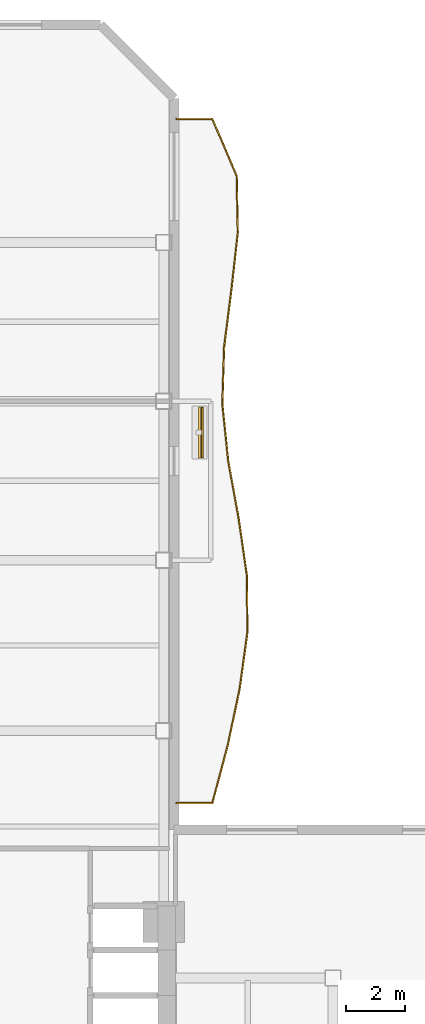
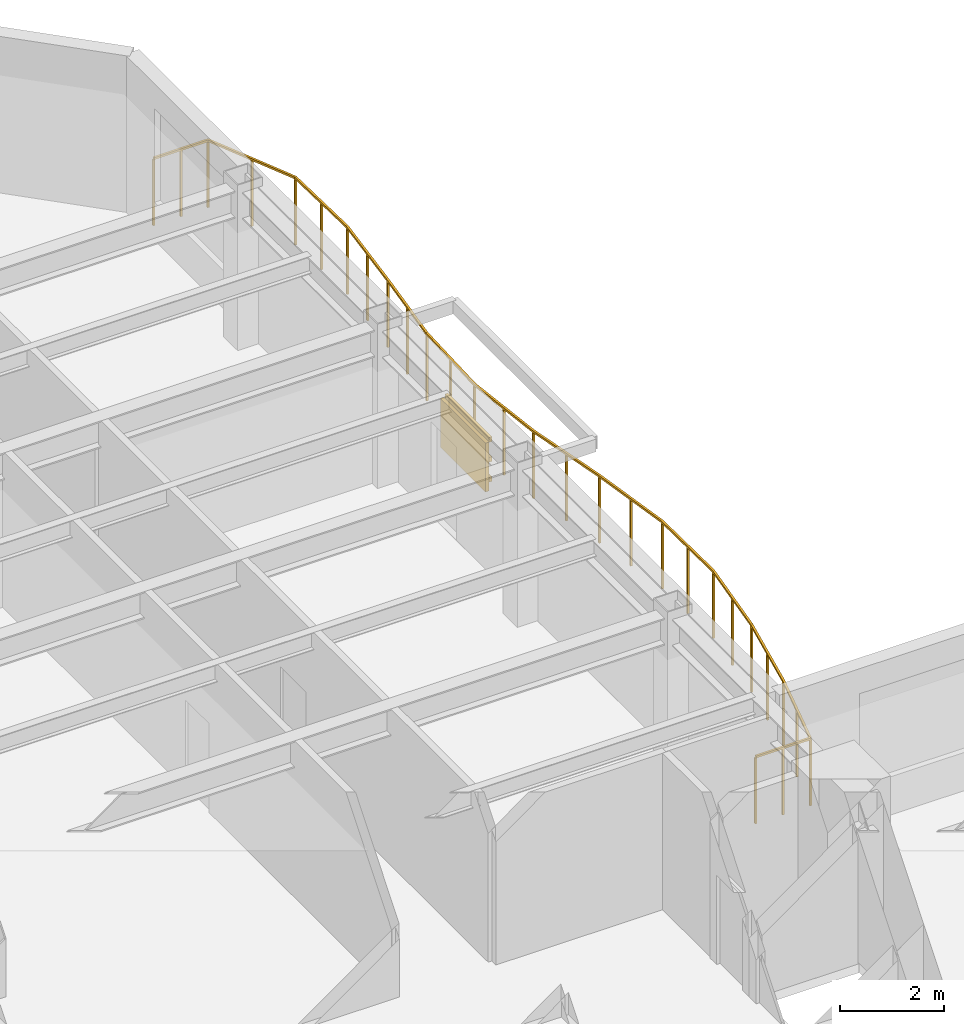
# One storey, part 10 of 10: 4 shading devices, 1 railing.
"""IFC4 building model written with IfcOpenShell, lengths in metres."""

import ifcopenshell
import ifcopenshell.guid

model = None  # the IFC model being written
_history = None  # IfcOwnerHistory: only IFC2X3 demands one
_inside = {}  # id of a spatial element -> (the spatial element, [elements in it])
_under = {}  # id of a project, library or spatial element -> (it, [spatial elements below it])
_declared = {}  # id of a project -> (the project, [libraries it declares])
_typed = {}  # id of a type object -> (the type object, [elements of that type])
_made_of = {}  # id of a material, layer set ... -> (it, [elements and type objects made of it])


def new_model(schema):
    """Start an empty IFC model of exactly this schema.

    Asked for "IFC4X3", IfcOpenShell would pick the latest addendum, in which some entities
    have other attributes; the version numbers below select the first issue.
    IFC2X3 requires an IfcOwnerHistory on every rooted entity: one is made here for all.
    """
    global model, _history
    if schema == "IFC4X3":
        model = ifcopenshell.file(schema_version=(4, 3, 0, 0))
    else:
        model = ifcopenshell.file(schema=schema)
    _inside.clear()
    _under.clear()
    _declared.clear()
    _typed.clear()
    _made_of.clear()
    _history = None
    if model.schema == "IFC2X3":
        org = make("IfcOrganization", Name="unknown")
        user = make(
            "IfcPersonAndOrganization",
            ThePerson=make("IfcPerson", FamilyName="unknown"),
            TheOrganization=org,
        )
        app = make(
            "IfcApplication",
            ApplicationDeveloper=org,
            Version="unknown",
            ApplicationFullName="unknown",
            ApplicationIdentifier="unknown",
        )
        _history = make(
            "IfcOwnerHistory",
            OwningUser=user,
            OwningApplication=app,
            ChangeAction="ADDED",
            CreationDate=0,
        )
    return model


def make(cls, **values):
    """One entity of the class cls with the attributes given. An attribute that is None is left unset."""
    return model.create_entity(
        cls, **{name: value for name, value in values.items() if value is not None}
    )


def rooted(cls, **values):
    """An entity with a GlobalId (a new one), such as an element, a storey or a relation."""
    return make(cls, GlobalId=ifcopenshell.guid.new(), OwnerHistory=_history, **values)


def si_unit(unit_type, name, prefix=None):
    """IfcSIUnit, for example si_unit("LENGTHUNIT", "METRE", prefix="MILLI")."""
    return make("IfcSIUnit", UnitType=unit_type, Prefix=prefix, Name=name)


def assignment(units):
    """IfcUnitAssignment: the units of a project."""
    return None if units is None else make("IfcUnitAssignment", Units=units)


def point(xyz):
    """IfcCartesianPoint."""
    return None if xyz is None else make("IfcCartesianPoint", Coordinates=xyz)


def direction(xyz):
    """IfcDirection."""
    return None if xyz is None else make("IfcDirection", DirectionRatios=xyz)


def frame(location, z_axis=None, x_axis=None):
    """IfcAxis2Placement3D, a coordinate frame: its origin and axes. An axis left out is left unset."""
    return make(
        "IfcAxis2Placement3D",
        Location=point(location),
        Axis=direction(z_axis),
        RefDirection=direction(x_axis),
    )


def frame_2d(location, x_axis=None):
    """IfcAxis2Placement2D, a coordinate frame in the plane: its origin and x axis."""
    return make(
        "IfcAxis2Placement2D", Location=point(location), RefDirection=direction(x_axis)
    )


def origin():
    """The frame at (0, 0, 0) with its axes left unset."""
    return frame((0.0, 0.0, 0.0))


def origin_2d():
    """The frame at (0, 0) in the plane with its x axis left unset."""
    return frame_2d((0.0, 0.0))


def place(relative_to, where):
    """IfcLocalPlacement: puts the frame where relative to a parent placement (None: the world)."""
    return make(
        "IfcLocalPlacement", PlacementRelTo=relative_to, RelativePlacement=where
    )


def context(
    kind, dimensions, precision=None, world=None, true_north=None, identifier=None
):
    """IfcGeometricRepresentationContext, for example the 3D "Model" context."""
    return make(
        "IfcGeometricRepresentationContext",
        ContextIdentifier=identifier,
        ContextType=kind,
        CoordinateSpaceDimension=dimensions,
        Precision=precision,
        WorldCoordinateSystem=world,
        TrueNorth=true_north,
    )


def subcontext(parent, identifier, kind, view, scale=None):
    """IfcGeometricRepresentationSubContext, for example "Body" below "Model"."""
    return make(
        "IfcGeometricRepresentationSubContext",
        ContextIdentifier=identifier,
        ContextType=kind,
        ParentContext=parent,
        TargetScale=scale,
        TargetView=view,
    )


def project(units=None, contexts=None):
    """IfcProject with its units and contexts."""
    return rooted(
        "IfcProject",
        Name="project",
        RepresentationContexts=contexts,
        UnitsInContext=assignment(units),
    )


def spatial(cls, under=None, at=None, **own):
    """A site, building, storey or space (cls), placed at a placement, below another one or the project."""
    s = rooted(cls, ObjectPlacement=at, **own)
    if under is not None:
        _under.setdefault(under.id(), (under, []))[1].append(s)
    return s


def profile(cls, at=None, kind="AREA", **sizes):
    """A parametric profile (cls). Its sizes go by their IFC names, for example OverallWidth=200.0."""
    return make(cls, ProfileType=kind, Position=at, **sizes)


def rectangle(**sizes):
    """IfcRectangleProfileDef."""
    return profile("IfcRectangleProfileDef", **sizes)


def extrude(swept, where, along, depth):
    """IfcExtrudedAreaSolid: the profile swept, set in the frame where, extruded along a direction by depth."""
    return make(
        "IfcExtrudedAreaSolid",
        SweptArea=swept,
        Position=where,
        ExtrudedDirection=direction(along),
        Depth=depth,
    )


def shape(context_of_items, identifier, shape_type, items):
    """IfcShapeRepresentation: the items that make up one representation, for example the "Body"."""
    return make(
        "IfcShapeRepresentation",
        ContextOfItems=context_of_items,
        RepresentationIdentifier=identifier,
        RepresentationType=shape_type,
        Items=items,
    )


def material(Name=None, Category=None):
    """IfcMaterial."""
    return make("IfcMaterial", Name=Name, Category=Category)


def layer(
    of_material, thickness, ventilated=None, Name=None, Category=None, Priority=None
):
    """IfcMaterialLayer: one layer of a wall or slab, of a material (None: an air gap)."""
    return make(
        "IfcMaterialLayer",
        Material=of_material,
        LayerThickness=thickness,
        IsVentilated=ventilated,
        Name=Name,
        Category=Category,
        Priority=Priority,
    )


def layer_set(layers, Name=None):
    """IfcMaterialLayerSet."""
    return make("IfcMaterialLayerSet", MaterialLayers=layers, LayerSetName=Name)


def material_profile(
    of_material, cross_section, Name=None, Category=None, Priority=None
):
    """IfcMaterialProfile: a cross section and its material."""
    return make(
        "IfcMaterialProfile",
        Name=Name,
        Material=of_material,
        Profile=cross_section,
        Priority=Priority,
        Category=Category,
    )


def profile_set(profiles, Name=None, composite=None):
    """IfcMaterialProfileSet."""
    return make(
        "IfcMaterialProfileSet",
        Name=Name,
        MaterialProfiles=profiles,
        CompositeProfile=composite,
    )


def made_of(thing, what):
    """Note that an element or type object is made of a material, layer set ...; save() writes the relation."""
    if what is not None:
        _made_of.setdefault(what.id(), (what, []))[1].append(thing)
    return thing


def type_object(cls, material=None, **own):
    """A type object (cls), such as IfcWallType, which elements share."""
    return made_of(rooted(cls, **own), material)


def element(
    cls,
    number,
    at=None,
    inside=None,
    cuts=None,
    type_object=None,
    material=None,
    context=None,
    identifier="Body",
    shape_type=None,
    held_by="IfcProductDefinitionShape",
    body=None,
    shapes=None,
    **own,
):
    """One element of the class cls, such as IfcWall. Its Tag is "e" and its number.

    at: its placement. inside: the storey or other place that contains it. cuts: it is an
    opening in that element (IfcRelVoidsElement). A single representation is given by context,
    identifier, shape_type and body (its items); several are given by shapes. held_by: the class
    of the entity that holds the representations. save() writes the other relations.
    """
    e = rooted(cls, Tag="e%d" % number, ObjectPlacement=at, **own)
    if body is not None:
        shapes = [shape(context, identifier, shape_type, body)]
    if shapes is not None:
        e.Representation = make(held_by, Representations=shapes)
    if inside is not None:
        _inside.setdefault(inside.id(), (inside, []))[1].append(e)
    if cuts is not None:
        rooted(
            "IfcRelVoidsElement", RelatingBuildingElement=cuts, RelatedOpeningElement=e
        )
    if type_object is not None:
        _typed.setdefault(type_object.id(), (type_object, []))[1].append(e)
    return made_of(e, material)


def aggregate(whole, parts):
    """IfcRelAggregates: a whole, such as a stair, and the parts it consists of."""
    return rooted("IfcRelAggregates", RelatingObject=whole, RelatedObjects=parts)


def save(model, path):
    """Write the relations noted so far, then the file.

    IfcRelAggregates (storeys below a building ...), IfcRelContainedInSpatialStructure (elements
    in a storey), IfcRelDefinesByType, IfcRelAssociatesMaterial and IfcRelDeclares: one each for
    every whole, place, type object, material and project.
    """
    for whole, parts in _under.values():
        aggregate(whole, parts)
    for where, things in _inside.values():
        rooted(
            "IfcRelContainedInSpatialStructure",
            RelatedElements=things,
            RelatingStructure=where,
        )
    for kind, things in _typed.values():
        rooted("IfcRelDefinesByType", RelatedObjects=things, RelatingType=kind)
    for what, things in _made_of.values():
        rooted("IfcRelAssociatesMaterial", RelatedObjects=things, RelatingMaterial=what)
    for by, libraries in _declared.values():
        rooted("IfcRelDeclares", RelatingContext=by, RelatedDefinitions=libraries)
    model.write(path)


model = new_model("IFC4")

# Units and contexts
model_context = context("Model", 3, precision=1e-05, world=origin(), true_north=direction((0.0, 1.0)))
body_context = subcontext(model_context, "Body", "Model", "MODEL_VIEW")
ifc_project = project(units=[si_unit("LENGTHUNIT", "METRE"), si_unit("AREAUNIT", "SQUARE_METRE"), si_unit("VOLUMEUNIT", "CUBIC_METRE"), si_unit("PLANEANGLEUNIT", "RADIAN"), si_unit("MASSUNIT", "GRAM", prefix="KILO")], contexts=[model_context])

# Site, building, storey
site_placement = place(None, origin())
site = spatial("IfcSite", under=ifc_project, at=site_placement, CompositionType="ELEMENT")
building_placement = place(site_placement, origin())
building = spatial("IfcBuilding", under=site, at=building_placement, Name="Mawjaban Terraces University", CompositionType="ELEMENT")
storey_placement = place(building_placement, frame((0.0, 0.0, 66.10009765625)))
storey = spatial("IfcBuildingStorey", under=building, at=storey_placement, Name="L15", CompositionType="ELEMENT", Elevation=66.10009765625)

# Railing
ifc_material_1 = material(Name="Galvanised powder-coated steel S355", Category="steel")
railing_type = type_object("IfcRailingType", Name="BalconyBalustrade_1600", PredefinedType="BALUSTRADE", material=ifc_material_1)
railing_placement = place(storey_placement, frame((38.080078125, 27.5419921875, 0.0)))
element("IfcRailing", 1, at=railing_placement, inside=storey, type_object=railing_type, Name="L15 Balcony Guardrail inner_east", PredefinedType="BALUSTRADE", context=body_context, shape_type="SweptSolid", body=[
    extrude(rectangle(XDim=0.048095703125, YDim=0.048095703125, at=origin_2d()), frame((0.0, 0.0, 1.576171875), z_axis=(1.0, 0.0, 0.0), x_axis=(0.0, 1.0, 0.0)), (0.0, 0.0, 1.0), 1.219970703125),
    extrude(rectangle(XDim=0.048095703125, YDim=0.048095703125, at=origin_2d()), frame((1.219970703125, 0.0, 1.576171875), z_axis=(0.258253441937, 0.966077201743, 0.0), x_axis=(-0.966077201743, 0.258253441937, 0.0)), (0.0, 0.0, 1.0), 2.006103515625),
    extrude(rectangle(XDim=0.048095703125, YDim=0.048095703125, at=origin_2d()), frame((1.738037109375, 1.93798828125, 1.576171875), z_axis=(0.207407718693, 0.978254587634, 0.0), x_axis=(-0.978254587634, 0.207407718693, 0.0)), (0.0, 0.0, 1.0), 1.98095703125),
    extrude(rectangle(XDim=0.048095703125, YDim=0.048095703125, at=origin_2d()), frame((2.14892578125, 3.8759765625, 1.576171875), z_axis=(0.136037666373, 0.990703665749, 0.0), x_axis=(-0.990703665749, 0.136037666373, 0.0)), (0.0, 0.0, 1.0), 1.9560546875),
    extrude(rectangle(XDim=0.048095703125, YDim=0.048095703125, at=origin_2d()), frame((2.4150390625, 5.81396484375, 1.576171875), z_axis=(-0.010827871873, 0.999941376877, 0.0), x_axis=(-0.999941376877, -0.010827871873, 0.0)), (0.0, 0.0, 1.0), 1.93896484375),
    extrude(rectangle(XDim=0.048095703125, YDim=0.048095703125, at=origin_2d()), frame((2.39404296875, 7.7529296875, 1.576171875), z_axis=(-0.143009615774, 0.989721299052, 0.0), x_axis=(-0.989721299052, -0.143009615774, 0.0)), (0.0, 0.0, 1.0), 1.9580078125),
    extrude(rectangle(XDim=0.048095703125, YDim=0.048095703125, at=origin_2d()), frame((2.114013671875, 9.69091796875, 1.576171875), z_axis=(-0.178732732352, 0.983897662557, 0.0), x_axis=(-0.983897662557, -0.178732732352, 0.0)), (0.0, 0.0, 1.0), 1.9697265625),
    extrude(rectangle(XDim=0.048095703125, YDim=0.048095703125, at=origin_2d()), frame((1.761962890625, 11.62890625, 1.576171875), z_axis=(-0.10312572871, 0.994668328679, 0.0), x_axis=(-0.994668328679, -0.10312572871, 0.0)), (0.0, 0.0, 1.0), 1.948486328125),
    extrude(rectangle(XDim=0.048095703125, YDim=0.048095703125, at=origin_2d()), frame((1.56103515625, 13.56689453125, 1.576171875), z_axis=(0.031851823692, 0.999492601937, 0.0), x_axis=(-0.999492601937, 0.031851823692, 0.0)), (0.0, 0.0, 1.0), 1.939208984375),
    extrude(rectangle(XDim=0.048095703125, YDim=0.048095703125, at=origin_2d()), frame((1.622802734375, 15.505126953125, 1.576171875), z_axis=(0.126401772638, 0.991979128749, 0.0), x_axis=(-0.991979128749, 0.126401772638, 0.0)), (0.0, 0.0, 1.0), 1.95458984375),
    extrude(rectangle(XDim=0.048095703125, YDim=0.048095703125, at=origin_2d()), frame((1.869873046875, 17.444091796875, 1.576171875), z_axis=(0.111297152455, 0.993787172314, 0.0), x_axis=(-0.993787172314, 0.111297152455, 0.0)), (0.0, 0.0, 1.0), 1.9501953125),
    extrude(rectangle(XDim=0.048095703125, YDim=0.048095703125, at=origin_2d()), frame((2.0869140625, 19.382080078125, 1.576171875), z_axis=(-0.019144890578, 0.999816719787, 0.0), x_axis=(-0.999816719787, -0.019144890578, 0.0)), (0.0, 0.0, 1.0), 1.938232421875),
    extrude(rectangle(XDim=0.048095703125, YDim=0.048095703125, at=origin_2d()), frame((2.0498046875, 21.320068359375, 1.576171875), z_axis=(-0.393625769308, 0.919270772807, 0.0), x_axis=(-0.919270772807, -0.393625769308, 0.0)), (0.0, 0.0, 1.0), 2.108154296875),
    extrude(rectangle(XDim=0.048095703125, YDim=0.048095703125, at=origin_2d()), frame((1.219970703125, 23.258056640625, 1.576171875), z_axis=(-1.0, 0.0, 0.0), x_axis=(0.0, -1.0, 0.0)), (0.0, 0.0, 1.0), 1.219970703125),
    extrude(rectangle(XDim=0.0419921875, YDim=0.0419921875, at=origin_2d()), origin(), (0.0, 0.0, 1.0), 1.552001953125),
    extrude(rectangle(XDim=0.0419921875, YDim=0.0419921875, at=origin_2d()), frame((0.60986328125, 0.0, 0.0)), (0.0, 0.0, 1.0), 1.552001953125),
    extrude(rectangle(XDim=0.0419921875, YDim=0.0419921875, at=origin_2d()), frame((1.219970703125, 0.0, 0.0)), (0.0, 0.0, 1.0), 1.552001953125),
    extrude(rectangle(XDim=0.0419921875, YDim=0.0419921875, at=origin_2d()), frame((1.47900390625, 0.968994140625, 0.0)), (0.0, 0.0, 1.0), 1.552001953125),
    extrude(rectangle(XDim=0.0419921875, YDim=0.0419921875, at=origin_2d()), frame((1.738037109375, 1.93798828125, 0.0)), (0.0, 0.0, 1.0), 1.552001953125),
    extrude(rectangle(XDim=0.0419921875, YDim=0.0419921875, at=origin_2d()), frame((1.943359375, 2.906982421875, 0.0)), (0.0, 0.0, 1.0), 1.552001953125),
    extrude(rectangle(XDim=0.0419921875, YDim=0.0419921875, at=origin_2d()), frame((2.14892578125, 3.8759765625, 0.0)), (0.0, 0.0, 1.0), 1.552001953125),
    extrude(rectangle(XDim=0.0419921875, YDim=0.0419921875, at=origin_2d()), frame((2.281982421875, 4.844970703125, 0.0)), (0.0, 0.0, 1.0), 1.552001953125),
    extrude(rectangle(XDim=0.0419921875, YDim=0.0419921875, at=origin_2d()), frame((2.4150390625, 5.81396484375, 0.0)), (0.0, 0.0, 1.0), 1.552001953125),
    extrude(rectangle(XDim=0.0419921875, YDim=0.0419921875, at=origin_2d()), frame((2.404541015625, 6.783447265625, 0.0)), (0.0, 0.0, 1.0), 1.552001953125),
    extrude(rectangle(XDim=0.0419921875, YDim=0.0419921875, at=origin_2d()), frame((2.39404296875, 7.7529296875, 0.0)), (0.0, 0.0, 1.0), 1.552001953125),
    extrude(rectangle(XDim=0.0419921875, YDim=0.0419921875, at=origin_2d()), frame((2.25390625, 8.721923828125, 0.0)), (0.0, 0.0, 1.0), 1.552001953125),
    extrude(rectangle(XDim=0.0419921875, YDim=0.0419921875, at=origin_2d()), frame((2.114013671875, 9.69091796875, 0.0)), (0.0, 0.0, 1.0), 1.552001953125),
    extrude(rectangle(XDim=0.0419921875, YDim=0.0419921875, at=origin_2d()), frame((1.93798828125, 10.659912109375, 0.0)), (0.0, 0.0, 1.0), 1.552001953125),
    extrude(rectangle(XDim=0.0419921875, YDim=0.0419921875, at=origin_2d()), frame((1.761962890625, 11.62890625, 0.0)), (0.0, 0.0, 1.0), 1.552001953125),
    extrude(rectangle(XDim=0.0419921875, YDim=0.0419921875, at=origin_2d()), frame((1.66162109375, 12.597900390625, 0.0)), (0.0, 0.0, 1.0), 1.552001953125),
    extrude(rectangle(XDim=0.0419921875, YDim=0.0419921875, at=origin_2d()), frame((1.56103515625, 13.56689453125, 0.0)), (0.0, 0.0, 1.0), 1.552001953125),
    extrude(rectangle(XDim=0.0419921875, YDim=0.0419921875, at=origin_2d()), frame((1.591796875, 14.5361328125, 0.0)), (0.0, 0.0, 1.0), 1.552001953125),
    extrude(rectangle(XDim=0.0419921875, YDim=0.0419921875, at=origin_2d()), frame((1.622802734375, 15.505126953125, 0.0)), (0.0, 0.0, 1.0), 1.552001953125),
    extrude(rectangle(XDim=0.0419921875, YDim=0.0419921875, at=origin_2d()), frame((1.746337890625, 16.474609375, 0.0)), (0.0, 0.0, 1.0), 1.552001953125),
    extrude(rectangle(XDim=0.0419921875, YDim=0.0419921875, at=origin_2d()), frame((1.869873046875, 17.444091796875, 0.0)), (0.0, 0.0, 1.0), 1.552001953125),
    extrude(rectangle(XDim=0.0419921875, YDim=0.0419921875, at=origin_2d()), frame((1.978515625, 18.4130859375, 0.0)), (0.0, 0.0, 1.0), 1.552001953125),
    extrude(rectangle(XDim=0.0419921875, YDim=0.0419921875, at=origin_2d()), frame((2.0869140625, 19.382080078125, 0.0)), (0.0, 0.0, 1.0), 1.552001953125),
    extrude(rectangle(XDim=0.0419921875, YDim=0.0419921875, at=origin_2d()), frame((2.068359375, 20.35107421875, 0.0)), (0.0, 0.0, 1.0), 1.552001953125),
    extrude(rectangle(XDim=0.0419921875, YDim=0.0419921875, at=origin_2d()), frame((2.0498046875, 21.320068359375, 0.0)), (0.0, 0.0, 1.0), 1.552001953125),
    extrude(rectangle(XDim=0.0419921875, YDim=0.0419921875, at=origin_2d()), frame((1.634765625, 22.2890625, 0.0)), (0.0, 0.0, 1.0), 1.552001953125),
    extrude(rectangle(XDim=0.0419921875, YDim=0.0419921875, at=origin_2d()), frame((1.219970703125, 23.258056640625, 0.0)), (0.0, 0.0, 1.0), 1.552001953125),
    extrude(rectangle(XDim=0.0419921875, YDim=0.0419921875, at=origin_2d()), frame((0.60986328125, 23.258056640625, 0.0)), (0.0, 0.0, 1.0), 1.552001953125),
    extrude(rectangle(XDim=0.0419921875, YDim=0.0419921875, at=origin_2d()), frame((0.0, 23.258056640625, 0.0)), (0.0, 0.0, 1.0), 1.552001953125),
])

# Shading devices
ifc_material_2 = material(Name="Glazed architectural terracotta ceramic", Category="masonry")
ifc_material_profile = material_profile(ifc_material_2, rectangle(XDim=0.06494140625, YDim=0.110107421875, at=origin_2d()), Name="TBAG110X65")
ifc_profile_set = profile_set([ifc_material_profile], Name="Glazed architectural terracotta ceramic")
shading_device_type_1 = type_object("IfcShadingDeviceType", Name="TerracottaBaguette_110x65", PredefinedType="USERDEFINED", material=ifc_profile_set)
for number, where, z_axis, x_axis, name in (
    (2, (38.950927734375, 39.2900390625, 0.679931640625), (0.0, 1.0, 0.0), (-1.0, 0.0, 0.0), "L15 Horizontal Terracotta Baguette inner_east.1"),
    (3, (38.950927734375, 39.2900390625, 1.14990234375), (0.0, 1.0, 0.0), (-1.0, 0.0, 0.0), "L15 Horizontal Terracotta Baguette inner_east.2"),
    (4, (38.950927734375, 39.2900390625, 1.619873046875), (0.0, 1.0, 0.0), (-1.0, 0.0, 0.0), "L15 Horizontal Terracotta Baguette inner_east.3"),
):
    element("IfcShadingDevice", number, at=place(storey_placement, frame(where, z_axis=z_axis, x_axis=x_axis)), inside=storey, type_object=shading_device_type_1, Name=name, ObjectType="BAGUETTE", PredefinedType="USERDEFINED", context=body_context, shape_type="SweptSolid", body=[
        extrude(rectangle(XDim=0.06494140625, YDim=0.110107421875, at=origin_2d()), origin(), (0.0, 0.0, 1.0), 1.699951171875),
    ])
ifc_layer = layer(ifc_material_2, 0.080078125)
ifc_layer_set = layer_set([ifc_layer], Name="Glazed architectural terracotta ceramic")
shading_device_type_2 = type_object("IfcShadingDeviceType", Name="TerracottaScreen_Perforated", PredefinedType="USERDEFINED", material=ifc_layer_set)
shading_device_placement = place(storey_placement, frame((38.865966796875, 40.139892578125, 0.43994140625), z_axis=(0.0, 0.0, 1.0), x_axis=(0.0, 1.0, 0.0)))
element("IfcShadingDevice", 5, at=shading_device_placement, inside=storey, type_object=shading_device_type_2, Name="L15 Balcony Perforated Terracotta Screen inner_east", ObjectType="SCREEN", PredefinedType="USERDEFINED", context=body_context, shape_type="SweptSolid", body=[
    extrude(rectangle(XDim=1.75, YDim=0.080078125, at=origin_2d()), origin(), (0.0, 0.0, 1.0), 1.14990234375),
])

save(model, "model.ifc")
